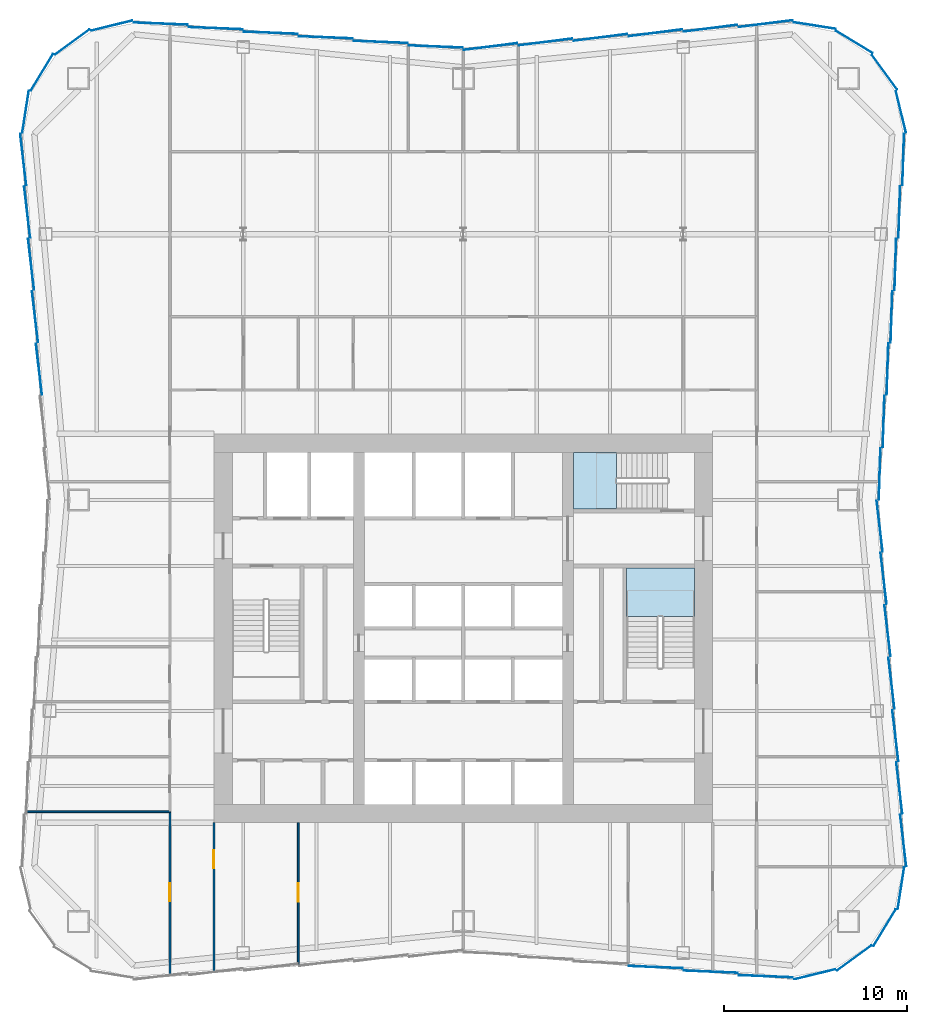
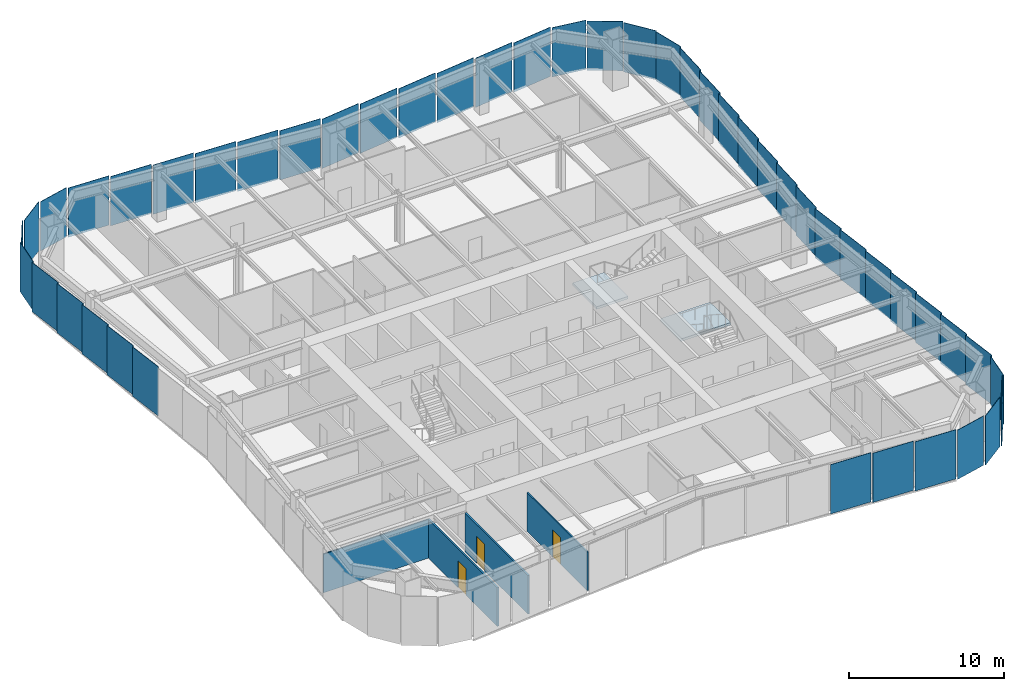
# One storey, part 3 of 8: 46 plates, 4 walls, 3 doors, 2 slabs, 3 openings, 9 elements without a shape of their own.
"""IFC4 building model written with IfcOpenShell, lengths in metres."""

from ifc_helpers import new_model, si_unit, direction, frame, frame_2d, origin, origin_2d, place, context, subcontext, project, spatial, polyline, rectangle, outline, extrude, material, layer, layer_set, type_object, element, fill, aggregate, save


model = new_model("IFC4")

# Units and contexts
model_context = context("Model", 3, precision=1e-05, world=origin(), true_north=direction((0.0, 1.0)))
body_context = subcontext(model_context, "Body", "Model", "MODEL_VIEW")
ifc_project = project(units=[si_unit("LENGTHUNIT", "METRE"), si_unit("AREAUNIT", "SQUARE_METRE"), si_unit("VOLUMEUNIT", "CUBIC_METRE"), si_unit("PLANEANGLEUNIT", "RADIAN"), si_unit("MASSUNIT", "GRAM", prefix="KILO")], contexts=[model_context])

# Site, building, storey
site_placement = place(None, origin())
site = spatial("IfcSite", under=ifc_project, at=site_placement, CompositionType="ELEMENT")
building_placement = place(site_placement, origin())
building = spatial("IfcBuilding", under=site, at=building_placement, Name="Verdant Reach Tower", CompositionType="ELEMENT")
storey_placement = place(building_placement, frame((0.0, 0.0, 134.0)))
storey = spatial("IfcBuildingStorey", under=building, at=storey_placement, Name="L30", CompositionType="ELEMENT", Elevation=134.0)

# Stair, slab
ifc_material_1 = material(Name="Concrete C40/50", Category="concrete")
stair_type = type_object("IfcStairType", Name="CO-STAIR", PredefinedType="HALF_TURN_STAIR", material=ifc_material_1)
stair_1_placement = place(storey_placement, origin())
stair_1 = element("IfcStair", 1, at=stair_1_placement, inside=storey, type_object=stair_type, Name="L30 Exit stair 2", PredefinedType="HALF_TURN_STAIR")
ifc_layer_1 = layer(ifc_material_1, 0.199951171875)
ifc_layer_set_1 = layer_set([ifc_layer_1], Name="CO-STAIR-LANDING")
slab_type = type_object("IfcSlabType", Name="CO-STAIR-LANDING", PredefinedType="LANDING", material=ifc_layer_set_1)
slab_1_placement = place(storey_placement, frame((0.0, 0.0, 1.800048828125)))
slab_1 = element("IfcSlab", 2, at=slab_1_placement, type_object=slab_type, Name="ST-2 landing 1", PredefinedType="LANDING", context=body_context, shape_type="SweptSolid", body=[
    extrude(outline(polyline([(12.60009765625, 28.64990234375), (12.60009765625, 31.300048828125), (8.89990234375, 31.300048828125), (8.89990234375, 28.64990234375), (12.60009765625, 28.64990234375)])), origin(), (0.0, 0.0, 1.0), 0.199951171875),
])
aggregate(stair_1, [slab_1])

stair_2_placement = place(storey_placement, origin())
stair_2 = element("IfcStair", 3, at=stair_2_placement, inside=storey, type_object=stair_type, Name="L30 Exit stair 3", PredefinedType="HALF_TURN_STAIR")
slab_2_placement = place(storey_placement, frame((0.0, 0.0, 1.800048828125)))
slab_2 = element("IfcSlab", 4, at=slab_2_placement, type_object=slab_type, Name="ST-3 landing 1", PredefinedType="LANDING", context=body_context, shape_type="SweptSolid", body=[
    extrude(outline(polyline([(8.35009765625, 37.60009765625), (6.0, 37.60009765625), (6.0, 34.5), (8.35009765625, 34.5), (8.35009765625, 37.60009765625)])), origin(), (0.0, 0.0, 1.0), 0.199951171875),
])
aggregate(stair_2, [slab_2])

# Curtain wall, plate
ifc_material_2 = material(Name="Anodised aluminium", Category="aluminium")
curtain_wall_type = type_object("IfcCurtainWallType", Name="EN-CW SYSTEM Z2", PredefinedType="NOTDEFINED", material=ifc_material_2)
curtain_wall_1_placement = place(storey_placement, origin())
curtain_wall_1 = element("IfcCurtainWall", 5, at=curtain_wall_1_placement, inside=storey, type_object=curtain_wall_type, Name="Curtain wall south-east corner, L30", PredefinedType="NOTDEFINED")
ifc_material_3 = material(Name="Tinted glass with champagne spandrel", Category="glass")
ifc_layer_2 = layer(ifc_material_3, 0.031982421875)
ifc_layer_set_2 = layer_set([ifc_layer_2], Name="EN-PANEL CHAMPAGNE")
plate_type_1 = type_object("IfcPlateType", Name="EN-PANEL CHAMPAGNE", PredefinedType="CURTAIN_PANEL", material=ifc_layer_set_2)
plate_1_placement = place(storey_placement, frame((23.87353515625, 13.828369140625, -0.22607421875), z_axis=(0.0, 0.0, 1.0), x_axis=(0.154281290631, 0.988026964896, 0.0)))
plate_1 = element("IfcPlate", 6, at=plate_1_placement, type_object=plate_type_1, Name="Glass panel south-east corner 4.1, L30", PredefinedType="CURTAIN_PANEL", context=body_context, shape_type="SweptSolid", body=[
    extrude(rectangle(XDim=2.316162109375, YDim=0.031982421875, at=origin_2d()), origin(), (0.0, 0.0, 1.0), 3.8759765625),
])

# Curtain wall, plates
curtain_wall_2_placement = place(storey_placement, origin())
curtain_wall_2 = element("IfcCurtainWall", 7, at=curtain_wall_2_placement, inside=storey, type_object=curtain_wall_type, Name="Curtain wall east, L30", PredefinedType="NOTDEFINED")
plate_2_placement = place(storey_placement, frame((23.7841796875, 19.293701171875, -0.22607421875), z_axis=(0.0, 0.0, 1.0), x_axis=(-0.116482717753, 0.993192718693, 0.0)))
plate_2 = element("IfcPlate", 8, at=plate_2_placement, type_object=plate_type_1, Name="Glass panel east face part 1 2.1, L30", PredefinedType="CURTAIN_PANEL", context=body_context, shape_type="SweptSolid", body=[
    extrude(rectangle(XDim=2.80517578125, YDim=0.031982421875, at=origin_2d()), origin(), (0.0, 0.0, 1.0), 3.8759765625),
])
plate_3_placement = place(storey_placement, frame((23.570068359375, 22.15087890625, -0.22607421875), z_axis=(0.0, 0.0, 1.0), x_axis=(-0.116482717753, 0.993192718693, 0.0)))
plate_3 = element("IfcPlate", 9, at=plate_3_placement, type_object=plate_type_1, Name="Glass panel east face part 1 3.1, L30", PredefinedType="CURTAIN_PANEL", context=body_context, shape_type="SweptSolid", body=[
    extrude(rectangle(XDim=2.80517578125, YDim=0.031982421875, at=origin_2d()), origin(), (0.0, 0.0, 1.0), 3.8759765625),
])
plate_4_placement = place(storey_placement, frame((23.355712890625, 25.0078125, -0.22607421875), z_axis=(0.0, 0.0, 1.0), x_axis=(-0.116482717753, 0.993192718693, 0.0)))
plate_4 = element("IfcPlate", 10, at=plate_4_placement, type_object=plate_type_1, Name="Glass panel east face part 1 4.1, L30", PredefinedType="CURTAIN_PANEL", context=body_context, shape_type="SweptSolid", body=[
    extrude(rectangle(XDim=2.80517578125, YDim=0.031982421875, at=origin_2d()), origin(), (0.0, 0.0, 1.0), 3.8759765625),
])
plate_5_placement = place(storey_placement, frame((23.355712890625, 44.9921875, -0.22607421875), z_axis=(0.0, 0.0, 1.0), x_axis=(0.032965971753, 0.999456474643, 0.0)))
plate_5 = element("IfcPlate", 11, at=plate_5_placement, type_object=plate_type_1, Name="Glass panel east face part 2 4.1, L30", PredefinedType="CURTAIN_PANEL", context=body_context, shape_type="SweptSolid", body=[
    extrude(rectangle(XDim=2.80517578125, YDim=0.031982421875, at=origin_2d()), origin(), (0.0, 0.0, 1.0), 3.8759765625),
])
plate_6_placement = place(storey_placement, frame((23.570068359375, 47.84912109375, -0.22607421875), z_axis=(0.0, 0.0, 1.0), x_axis=(0.032965971753, 0.999456474643, 0.0)))
plate_6 = element("IfcPlate", 12, at=plate_6_placement, type_object=plate_type_1, Name="Glass panel east face part 2 5.1, L30", PredefinedType="CURTAIN_PANEL", context=body_context, shape_type="SweptSolid", body=[
    extrude(rectangle(XDim=2.80517578125, YDim=0.031982421875, at=origin_2d()), origin(), (0.0, 0.0, 1.0), 3.8759765625),
])

curtain_wall_3_placement = place(storey_placement, origin())
curtain_wall_3 = element("IfcCurtainWall", 13, at=curtain_wall_3_placement, inside=storey, type_object=curtain_wall_type, Name="Curtain wall north-east corner, L30", PredefinedType="NOTDEFINED")
plate_7_placement = place(storey_placement, frame((22.9794921875, 58.3271484375, -0.22607421875), z_axis=(0.0, 0.0, 1.0), x_axis=(-0.589926757843, 0.807456760688, 0.0)))
plate_7 = element("IfcPlate", 14, at=plate_7_placement, type_object=plate_type_1, Name="Glass panel north-east corner 2.1, L30", PredefinedType="CURTAIN_PANEL", context=body_context, shape_type="SweptSolid", body=[
    extrude(rectangle(XDim=2.322509765625, YDim=0.031982421875, at=origin_2d()), origin(), (0.0, 0.0, 1.0), 3.8759765625),
])
plate_8_placement = place(storey_placement, frame((21.3271484375, 59.9794921875, -0.22607421875), z_axis=(0.0, 0.0, 1.0), x_axis=(-0.853988694998, 0.520291561353, 0.0)))
plate_8 = element("IfcPlate", 15, at=plate_8_placement, type_object=plate_type_1, Name="Glass panel north-east corner 3.1, L30", PredefinedType="CURTAIN_PANEL", context=body_context, shape_type="SweptSolid", body=[
    extrude(rectangle(XDim=2.322509765625, YDim=0.031982421875, at=origin_2d()), origin(), (0.0, 0.0, 1.0), 3.8759765625),
])
plate_9_placement = place(storey_placement, frame((19.17138671875, 60.87353515625, -0.22607421875), z_axis=(0.0, 0.0, 1.0), x_axis=(-0.988030887576, 0.154256167447, 0.0)))
plate_9 = element("IfcPlate", 16, at=plate_9_placement, type_object=plate_type_1, Name="Glass panel north-east corner 4.1, L30", PredefinedType="CURTAIN_PANEL", context=body_context, shape_type="SweptSolid", body=[
    extrude(rectangle(XDim=2.31640625, YDim=0.031982421875, at=origin_2d()), origin(), (0.0, 0.0, 1.0), 3.8759765625),
])

curtain_wall_4_placement = place(storey_placement, origin())
curtain_wall_4 = element("IfcCurtainWall", 17, at=curtain_wall_4_placement, inside=storey, type_object=curtain_wall_type, Name="Curtain wall north, L30", PredefinedType="NOTDEFINED")
plate_10_placement = place(storey_placement, frame((16.49853515625, 60.980712890625, -0.22607421875), z_axis=(0.0, 0.0, 1.0), x_axis=(-0.992236570309, -0.124364739946, 0.0)))
plate_10 = element("IfcPlate", 18, at=plate_10_placement, type_object=plate_type_1, Name="Glass panel north face part 1 1.1, L30", PredefinedType="CURTAIN_PANEL", context=body_context, shape_type="SweptSolid", body=[
    extrude(rectangle(XDim=2.965087890625, YDim=0.031982421875, at=origin_2d()), origin(), (0.0, 0.0, 1.0), 3.8759765625),
])
plate_11_placement = place(storey_placement, frame((13.4912109375, 60.730712890625, -0.22607421875), z_axis=(0.0, 0.0, 1.0), x_axis=(-0.992194034542, -0.124703639961, 0.0)))
plate_11 = element("IfcPlate", 19, at=plate_11_placement, type_object=plate_type_1, Name="Glass panel north face part 1 2.1, L30", PredefinedType="CURTAIN_PANEL", context=body_context, shape_type="SweptSolid", body=[
    extrude(rectangle(XDim=2.950439453125, YDim=0.031982421875, at=origin_2d()), origin(), (0.0, 0.0, 1.0), 3.8759765625),
])
plate_12_placement = place(storey_placement, frame((-4.4912109375, 59.980712890625, -0.22607421875), z_axis=(0.0, 0.0, 1.0), x_axis=(-0.999149202059, 0.041241629766, 0.0)))
plate_12 = element("IfcPlate", 20, at=plate_12_placement, type_object=plate_type_1, Name="Glass panel north face part 2 2.1, L30", PredefinedType="CURTAIN_PANEL", context=body_context, shape_type="SweptSolid", body=[
    extrude(rectangle(XDim=2.950439453125, YDim=0.031982421875, at=origin_2d()), origin(), (0.0, 0.0, 1.0), 3.8759765625),
])
plate_13_placement = place(storey_placement, frame((-7.4912109375, 60.230712890625, -0.22607421875), z_axis=(0.0, 0.0, 1.0), x_axis=(-0.999149202059, 0.041241629766, 0.0)))
plate_13 = element("IfcPlate", 21, at=plate_13_placement, type_object=plate_type_1, Name="Glass panel north face part 2 3.1, L30", PredefinedType="CURTAIN_PANEL", context=body_context, shape_type="SweptSolid", body=[
    extrude(rectangle(XDim=2.950439453125, YDim=0.031982421875, at=origin_2d()), origin(), (0.0, 0.0, 1.0), 3.8759765625),
])

curtain_wall_5_placement = place(storey_placement, origin())
curtain_wall_5 = element("IfcCurtainWall", 22, at=curtain_wall_5_placement, inside=storey, type_object=curtain_wall_type, Name="Curtain wall north-west corner, L30", PredefinedType="NOTDEFINED")
plate_14_placement = place(storey_placement, frame((-19.17138671875, 60.87353515625, -0.22607421875), z_axis=(0.0, 0.0, 1.0), x_axis=(-0.971657900775, -0.236391463174, 0.0)))
plate_14 = element("IfcPlate", 23, at=plate_14_placement, type_object=plate_type_1, Name="Glass panel north-west corner 1.1, L30", PredefinedType="CURTAIN_PANEL", context=body_context, shape_type="SweptSolid", body=[
    extrude(rectangle(XDim=2.31640625, YDim=0.031982421875, at=origin_2d()), origin(), (0.0, 0.0, 1.0), 3.8759765625),
])
plate_15_placement = place(storey_placement, frame((-21.3271484375, 59.9794921875, -0.22607421875), z_axis=(0.0, 0.0, 1.0), x_axis=(-0.807456760688, -0.589926757843, 0.0)))
plate_15 = element("IfcPlate", 24, at=plate_15_placement, type_object=plate_type_1, Name="Glass panel north-west corner 2.1, L30", PredefinedType="CURTAIN_PANEL", context=body_context, shape_type="SweptSolid", body=[
    extrude(rectangle(XDim=2.322509765625, YDim=0.031982421875, at=origin_2d()), origin(), (0.0, 0.0, 1.0), 3.8759765625),
])

curtain_wall_6_placement = place(storey_placement, origin())
curtain_wall_6 = element("IfcCurtainWall", 25, at=curtain_wall_6_placement, inside=storey, type_object=curtain_wall_type, Name="Curtain wall south, L30", PredefinedType="NOTDEFINED")
plate_16_placement = place(storey_placement, frame((13.4912109375, 9.269287109375, -0.22607421875), z_axis=(0.0, 0.0, 1.0), x_axis=(0.999149202059, -0.041241629766, 0.0)))
plate_16 = element("IfcPlate", 26, at=plate_16_placement, type_object=plate_type_1, Name="Glass panel south face part 2 5.1, L30", PredefinedType="CURTAIN_PANEL", context=body_context, shape_type="SweptSolid", body=[
    extrude(rectangle(XDim=2.950439453125, YDim=0.031982421875, at=origin_2d()), origin(), (0.0, 0.0, 1.0), 3.8759765625),
])
plate_17_placement = place(storey_placement, frame((16.49853515625, 9.019287109375, -0.22607421875), z_axis=(0.0, 0.0, 1.0), x_axis=(0.999163230224, -0.040900359019, 0.0)))
plate_17 = element("IfcPlate", 27, at=plate_17_placement, type_object=plate_type_1, Name="Glass panel south face part 2 6.1, L30", PredefinedType="CURTAIN_PANEL", context=body_context, shape_type="SweptSolid", body=[
    extrude(rectangle(XDim=2.965087890625, YDim=0.031982421875, at=origin_2d()), origin(), (0.0, 0.0, 1.0), 3.8759765625),
])

# Plate
ifc_material_4 = material(Name="Tinted glass with copper spandrel", Category="glass")
ifc_layer_3 = layer(ifc_material_4, 0.031982421875)
ifc_layer_set_3 = layer_set([ifc_layer_3], Name="EN-PANEL COPPER")
plate_type_2 = type_object("IfcPlateType", Name="EN-PANEL COPPER", PredefinedType="CURTAIN_PANEL", material=ifc_layer_set_3)
plate_18_placement = place(storey_placement, frame((23.141357421875, 27.864990234375, -0.22607421875), z_axis=(0.0, 0.0, 1.0), x_axis=(-0.116482717753, 0.993192718693, 0.0)))
plate_18 = element("IfcPlate", 28, at=plate_18_placement, type_object=plate_type_2, Name="Glass panel east face part 1 5.1, L30", PredefinedType="CURTAIN_PANEL", context=body_context, shape_type="SweptSolid", body=[
    extrude(rectangle(XDim=2.80517578125, YDim=0.031982421875, at=origin_2d()), origin(), (0.0, 0.0, 1.0), 3.8759765625),
])

plate_19_placement = place(storey_placement, frame((22.92724609375, 30.72216796875, -0.22607421875), z_axis=(0.0, 0.0, 1.0), x_axis=(-0.116482717753, 0.993192718693, 0.0)))
plate_19 = element("IfcPlate", 29, at=plate_19_placement, type_object=plate_type_2, Name="Glass panel east face part 1 6.1, L30", PredefinedType="CURTAIN_PANEL", context=body_context, shape_type="SweptSolid", body=[
    extrude(rectangle(XDim=2.80517578125, YDim=0.031982421875, at=origin_2d()), origin(), (0.0, 0.0, 1.0), 3.8759765625),
])

plate_20_placement = place(storey_placement, frame((23.7841796875, 50.706298828125, -0.22607421875), z_axis=(0.0, 0.0, 1.0), x_axis=(0.032965971753, 0.999456474643, 0.0)))
plate_20 = element("IfcPlate", 30, at=plate_20_placement, type_object=plate_type_2, Name="Glass panel east face part 2 6.1, L30", PredefinedType="CURTAIN_PANEL", context=body_context, shape_type="SweptSolid", body=[
    extrude(rectangle(XDim=2.80517578125, YDim=0.031982421875, at=origin_2d()), origin(), (0.0, 0.0, 1.0), 3.8759765625),
])

plate_21_placement = place(storey_placement, frame((23.99853515625, 53.57080078125, -0.22607421875), z_axis=(0.0, 0.0, 1.0), x_axis=(0.032628234484, 0.99946755741, 0.0)))
plate_21 = element("IfcPlate", 31, at=plate_21_placement, type_object=plate_type_2, Name="Glass panel east face part 2 7.1, L30", PredefinedType="CURTAIN_PANEL", context=body_context, shape_type="SweptSolid", body=[
    extrude(rectangle(XDim=2.819580078125, YDim=0.031982421875, at=origin_2d()), origin(), (0.0, 0.0, 1.0), 3.8759765625),
])

plate_22_placement = place(storey_placement, frame((10.4912109375, 60.480712890625, -0.22607421875), z_axis=(0.0, 0.0, 1.0), x_axis=(-0.992194034542, -0.124703639961, 0.0)))
plate_22 = element("IfcPlate", 32, at=plate_22_placement, type_object=plate_type_2, Name="Glass panel north face part 1 3.1, L30", PredefinedType="CURTAIN_PANEL", context=body_context, shape_type="SweptSolid", body=[
    extrude(rectangle(XDim=2.950439453125, YDim=0.031982421875, at=origin_2d()), origin(), (0.0, 0.0, 1.0), 3.8759765625),
])

plate_23_placement = place(storey_placement, frame((7.4912109375, 60.230712890625, -0.22607421875), z_axis=(0.0, 0.0, 1.0), x_axis=(-0.992194034542, -0.124703639961, 0.0)))
plate_23 = element("IfcPlate", 33, at=plate_23_placement, type_object=plate_type_2, Name="Glass panel north face part 1 4.1, L30", PredefinedType="CURTAIN_PANEL", context=body_context, shape_type="SweptSolid", body=[
    extrude(rectangle(XDim=2.950439453125, YDim=0.031982421875, at=origin_2d()), origin(), (0.0, 0.0, 1.0), 3.8759765625),
])

plate_24_placement = place(storey_placement, frame((-10.4912109375, 60.480712890625, -0.22607421875), z_axis=(0.0, 0.0, 1.0), x_axis=(-0.999149202059, 0.041241629766, 0.0)))
plate_24 = element("IfcPlate", 34, at=plate_24_placement, type_object=plate_type_2, Name="Glass panel north face part 2 4.1, L30", PredefinedType="CURTAIN_PANEL", context=body_context, shape_type="SweptSolid", body=[
    extrude(rectangle(XDim=2.950439453125, YDim=0.031982421875, at=origin_2d()), origin(), (0.0, 0.0, 1.0), 3.8759765625),
])

plate_25_placement = place(storey_placement, frame((-13.4912109375, 60.730712890625, -0.22607421875), z_axis=(0.0, 0.0, 1.0), x_axis=(-0.999149202059, 0.041241629766, 0.0)))
plate_25 = element("IfcPlate", 35, at=plate_25_placement, type_object=plate_type_2, Name="Glass panel north face part 2 5.1, L30", PredefinedType="CURTAIN_PANEL", context=body_context, shape_type="SweptSolid", body=[
    extrude(rectangle(XDim=2.950439453125, YDim=0.031982421875, at=origin_2d()), origin(), (0.0, 0.0, 1.0), 3.8759765625),
])

plate_26_placement = place(storey_placement, frame((-16.49853515625, 60.980712890625, -0.22607421875), z_axis=(0.0, 0.0, 1.0), x_axis=(-0.999163230224, 0.040900359019, 0.0)))
plate_26 = element("IfcPlate", 36, at=plate_26_placement, type_object=plate_type_2, Name="Glass panel north face part 2 6.1, L30", PredefinedType="CURTAIN_PANEL", context=body_context, shape_type="SweptSolid", body=[
    extrude(rectangle(XDim=2.965087890625, YDim=0.031982421875, at=origin_2d()), origin(), (0.0, 0.0, 1.0), 3.8759765625),
])

plate_27_placement = place(storey_placement, frame((-22.9794921875, 58.3271484375, -0.22607421875), z_axis=(0.0, 0.0, 1.0), x_axis=(-0.520291561353, -0.853988694998, 0.0)))
plate_27 = element("IfcPlate", 37, at=plate_27_placement, type_object=plate_type_2, Name="Glass panel north-west corner 3.1, L30", PredefinedType="CURTAIN_PANEL", context=body_context, shape_type="SweptSolid", body=[
    extrude(rectangle(XDim=2.322509765625, YDim=0.031982421875, at=origin_2d()), origin(), (0.0, 0.0, 1.0), 3.8759765625),
])

plate_28_placement = place(storey_placement, frame((-23.87353515625, 56.171630859375, -0.22607421875), z_axis=(0.0, 0.0, 1.0), x_axis=(-0.154281290631, -0.988026964896, 0.0)))
plate_28 = element("IfcPlate", 38, at=plate_28_placement, type_object=plate_type_2, Name="Glass panel north-west corner 4.1, L30", PredefinedType="CURTAIN_PANEL", context=body_context, shape_type="SweptSolid", body=[
    extrude(rectangle(XDim=2.316162109375, YDim=0.031982421875, at=origin_2d()), origin(), (0.0, 0.0, 1.0), 3.8759765625),
])

aggregate(curtain_wall_5, [plate_14, plate_15, plate_27, plate_28])

# Curtain wall, plates
curtain_wall_7_placement = place(storey_placement, origin())
curtain_wall_7 = element("IfcCurtainWall", 39, at=curtain_wall_7_placement, inside=storey, type_object=curtain_wall_type, Name="Curtain wall west, L30", PredefinedType="NOTDEFINED")
plate_29_placement = place(storey_placement, frame((-23.99853515625, 53.57080078125, -0.22607421875), z_axis=(0.0, 0.0, 1.0), x_axis=(0.116147092358, -0.993232023717, 0.0)))
plate_29 = element("IfcPlate", 40, at=plate_29_placement, type_object=plate_type_2, Name="Glass panel west face part 1 1.1, L30", PredefinedType="CURTAIN_PANEL", context=body_context, shape_type="SweptSolid", body=[
    extrude(rectangle(XDim=2.819580078125, YDim=0.031982421875, at=origin_2d()), origin(), (0.0, 0.0, 1.0), 3.8759765625),
])
plate_30_placement = place(storey_placement, frame((-23.7841796875, 50.706298828125, -0.22607421875), z_axis=(0.0, 0.0, 1.0), x_axis=(0.116482717753, -0.993192718693, 0.0)))
plate_30 = element("IfcPlate", 41, at=plate_30_placement, type_object=plate_type_2, Name="Glass panel west face part 1 2.1, L30", PredefinedType="CURTAIN_PANEL", context=body_context, shape_type="SweptSolid", body=[
    extrude(rectangle(XDim=2.80517578125, YDim=0.031982421875, at=origin_2d()), origin(), (0.0, 0.0, 1.0), 3.8759765625),
])
plate_31_placement = place(storey_placement, frame((-23.570068359375, 47.84912109375, -0.22607421875), z_axis=(0.0, 0.0, 1.0), x_axis=(0.116482717753, -0.993192718693, 0.0)))
plate_31 = element("IfcPlate", 42, at=plate_31_placement, type_object=plate_type_2, Name="Glass panel west face part 1 3.1, L30", PredefinedType="CURTAIN_PANEL", context=body_context, shape_type="SweptSolid", body=[
    extrude(rectangle(XDim=2.80517578125, YDim=0.031982421875, at=origin_2d()), origin(), (0.0, 0.0, 1.0), 3.8759765625),
])

# Plate
ifc_material_5 = material(Name="Tinted glass with dark bronze spandrel", Category="glass")
ifc_layer_4 = layer(ifc_material_5, 0.031982421875)
ifc_layer_set_4 = layer_set([ifc_layer_4], Name="EN-PANEL DARK")
plate_type_3 = type_object("IfcPlateType", Name="EN-PANEL DARK", PredefinedType="CURTAIN_PANEL", material=ifc_layer_set_4)
plate_32_placement = place(storey_placement, frame((19.17138671875, 9.12646484375, -0.22607421875), z_axis=(0.0, 0.0, 1.0), x_axis=(0.971657900775, 0.236391463174, 0.0)))
plate_32 = element("IfcPlate", 43, at=plate_32_placement, type_object=plate_type_3, Name="Glass panel south-east corner 1.1, L30", PredefinedType="CURTAIN_PANEL", context=body_context, shape_type="SweptSolid", body=[
    extrude(rectangle(XDim=2.31640625, YDim=0.031982421875, at=origin_2d()), origin(), (0.0, 0.0, 1.0), 3.8759765625),
])

plate_33_placement = place(storey_placement, frame((21.3271484375, 10.0205078125, -0.22607421875), z_axis=(0.0, 0.0, 1.0), x_axis=(0.807456760688, 0.589926757843, 0.0)))
plate_33 = element("IfcPlate", 44, at=plate_33_placement, type_object=plate_type_3, Name="Glass panel south-east corner 2.1, L30", PredefinedType="CURTAIN_PANEL", context=body_context, shape_type="SweptSolid", body=[
    extrude(rectangle(XDim=2.322509765625, YDim=0.031982421875, at=origin_2d()), origin(), (0.0, 0.0, 1.0), 3.8759765625),
])

plate_34_placement = place(storey_placement, frame((22.9794921875, 11.6728515625, -0.22607421875), z_axis=(0.0, 0.0, 1.0), x_axis=(0.520291561353, 0.853988694998, 0.0)))
plate_34 = element("IfcPlate", 45, at=plate_34_placement, type_object=plate_type_3, Name="Glass panel south-east corner 3.1, L30", PredefinedType="CURTAIN_PANEL", context=body_context, shape_type="SweptSolid", body=[
    extrude(rectangle(XDim=2.322509765625, YDim=0.031982421875, at=origin_2d()), origin(), (0.0, 0.0, 1.0), 3.8759765625),
])

aggregate(curtain_wall_1, [plate_32, plate_33, plate_34, plate_1])

plate_35_placement = place(storey_placement, frame((23.99853515625, 16.42919921875, -0.22607421875), z_axis=(0.0, 0.0, 1.0), x_axis=(-0.116147092358, 0.993232023717, 0.0)))
plate_35 = element("IfcPlate", 46, at=plate_35_placement, type_object=plate_type_3, Name="Glass panel east face part 1 1.1, L30", PredefinedType="CURTAIN_PANEL", context=body_context, shape_type="SweptSolid", body=[
    extrude(rectangle(XDim=2.819580078125, YDim=0.031982421875, at=origin_2d()), origin(), (0.0, 0.0, 1.0), 3.8759765625),
])

plate_36_placement = place(storey_placement, frame((22.712890625, 33.575439453125, -0.22607421875), z_axis=(0.0, 0.0, 1.0), x_axis=(-0.116585911919, 0.993180610535, 0.0)))
plate_36 = element("IfcPlate", 47, at=plate_36_placement, type_object=plate_type_3, Name="Glass panel east face part 1 7.1, L30", PredefinedType="CURTAIN_PANEL", context=body_context, shape_type="SweptSolid", body=[
    extrude(rectangle(XDim=2.797119140625, YDim=0.031982421875, at=origin_2d()), origin(), (0.0, 0.0, 1.0), 3.8759765625),
])

plate_37_placement = place(storey_placement, frame((22.712890625, 36.424560546875, -0.22607421875), z_axis=(0.0, 0.0, 1.0), x_axis=(0.033069817188, 0.999453044015, 0.0)))
plate_37 = element("IfcPlate", 48, at=plate_37_placement, type_object=plate_type_3, Name="Glass panel east face part 2 1.1, L30", PredefinedType="CURTAIN_PANEL", context=body_context, shape_type="SweptSolid", body=[
    extrude(rectangle(XDim=2.797119140625, YDim=0.031982421875, at=origin_2d()), origin(), (0.0, 0.0, 1.0), 3.8759765625),
])

plate_38_placement = place(storey_placement, frame((22.92724609375, 39.27783203125, -0.22607421875), z_axis=(0.0, 0.0, 1.0), x_axis=(0.032965971753, 0.999456474643, 0.0)))
plate_38 = element("IfcPlate", 49, at=plate_38_placement, type_object=plate_type_3, Name="Glass panel east face part 2 2.1, L30", PredefinedType="CURTAIN_PANEL", context=body_context, shape_type="SweptSolid", body=[
    extrude(rectangle(XDim=2.80517578125, YDim=0.031982421875, at=origin_2d()), origin(), (0.0, 0.0, 1.0), 3.8759765625),
])

plate_39_placement = place(storey_placement, frame((23.141357421875, 42.135009765625, -0.22607421875), z_axis=(0.0, 0.0, 1.0), x_axis=(0.032965971753, 0.999456474643, 0.0)))
plate_39 = element("IfcPlate", 50, at=plate_39_placement, type_object=plate_type_3, Name="Glass panel east face part 2 3.1, L30", PredefinedType="CURTAIN_PANEL", context=body_context, shape_type="SweptSolid", body=[
    extrude(rectangle(XDim=2.80517578125, YDim=0.031982421875, at=origin_2d()), origin(), (0.0, 0.0, 1.0), 3.8759765625),
])

aggregate(curtain_wall_2, [plate_35, plate_2, plate_3, plate_4, plate_18, plate_19, plate_36, plate_37, plate_38, plate_39, plate_5, plate_6, plate_20, plate_21])

plate_40_placement = place(storey_placement, frame((23.87353515625, 56.171630859375, -0.22607421875), z_axis=(0.0, 0.0, 1.0), x_axis=(-0.236416170006, 0.971651889598, 0.0)))
plate_40 = element("IfcPlate", 51, at=plate_40_placement, type_object=plate_type_3, Name="Glass panel north-east corner 1.1, L30", PredefinedType="CURTAIN_PANEL", context=body_context, shape_type="SweptSolid", body=[
    extrude(rectangle(XDim=2.316162109375, YDim=0.031982421875, at=origin_2d()), origin(), (0.0, 0.0, 1.0), 3.8759765625),
])

aggregate(curtain_wall_3, [plate_40, plate_7, plate_8, plate_9])

plate_41_placement = place(storey_placement, frame((4.4912109375, 59.980712890625, -0.22607421875), z_axis=(0.0, 0.0, 1.0), x_axis=(-0.992194034542, -0.124703639961, 0.0)))
plate_41 = element("IfcPlate", 52, at=plate_41_placement, type_object=plate_type_3, Name="Glass panel north face part 1 5.1, L30", PredefinedType="CURTAIN_PANEL", context=body_context, shape_type="SweptSolid", body=[
    extrude(rectangle(XDim=2.950439453125, YDim=0.031982421875, at=origin_2d()), origin(), (0.0, 0.0, 1.0), 3.8759765625),
])

plate_42_placement = place(storey_placement, frame((1.49560546875, 59.730712890625, -0.22607421875), z_axis=(0.0, 0.0, 1.0), x_axis=(-0.992178815188, -0.12482467181, 0.0)))
plate_42 = element("IfcPlate", 53, at=plate_42_placement, type_object=plate_type_3, Name="Glass panel north face part 1 6.1, L30", PredefinedType="CURTAIN_PANEL", context=body_context, shape_type="SweptSolid", body=[
    extrude(rectangle(XDim=2.941650390625, YDim=0.031982421875, at=origin_2d()), origin(), (0.0, 0.0, 1.0), 3.8759765625),
])

plate_43_placement = place(storey_placement, frame((-1.49560546875, 59.730712890625, -0.22607421875), z_axis=(0.0, 0.0, 1.0), x_axis=(-0.999144163765, 0.041363510662, 0.0)))
plate_43 = element("IfcPlate", 54, at=plate_43_placement, type_object=plate_type_3, Name="Glass panel north face part 2 1.1, L30", PredefinedType="CURTAIN_PANEL", context=body_context, shape_type="SweptSolid", body=[
    extrude(rectangle(XDim=2.941650390625, YDim=0.031982421875, at=origin_2d()), origin(), (0.0, 0.0, 1.0), 3.8759765625),
])

aggregate(curtain_wall_4, [plate_10, plate_11, plate_22, plate_23, plate_41, plate_42, plate_43, plate_12, plate_13, plate_24, plate_25, plate_26])

plate_44_placement = place(storey_placement, frame((-23.355712890625, 44.9921875, -0.22607421875), z_axis=(0.0, 0.0, 1.0), x_axis=(0.116482717753, -0.993192718693, 0.0)))
plate_44 = element("IfcPlate", 55, at=plate_44_placement, type_object=plate_type_3, Name="Glass panel west face part 1 4.1, L30", PredefinedType="CURTAIN_PANEL", context=body_context, shape_type="SweptSolid", body=[
    extrude(rectangle(XDim=2.80517578125, YDim=0.031982421875, at=origin_2d()), origin(), (0.0, 0.0, 1.0), 3.8759765625),
])

plate_45_placement = place(storey_placement, frame((-23.141357421875, 42.135009765625, -0.22607421875), z_axis=(0.0, 0.0, 1.0), x_axis=(0.116482717753, -0.993192718693, 0.0)))
plate_45 = element("IfcPlate", 56, at=plate_45_placement, type_object=plate_type_3, Name="Glass panel west face part 1 5.1, L30", PredefinedType="CURTAIN_PANEL", context=body_context, shape_type="SweptSolid", body=[
    extrude(rectangle(XDim=2.80517578125, YDim=0.031982421875, at=origin_2d()), origin(), (0.0, 0.0, 1.0), 3.8759765625),
])

aggregate(curtain_wall_7, [plate_29, plate_30, plate_31, plate_44, plate_45])

plate_46_placement = place(storey_placement, frame((10.4912109375, 9.519287109375, -0.22607421875), z_axis=(0.0, 0.0, 1.0), x_axis=(0.999149202059, -0.041241629766, 0.0)))
plate_46 = element("IfcPlate", 57, at=plate_46_placement, type_object=plate_type_3, Name="Glass panel south face part 2 4.1, L30", PredefinedType="CURTAIN_PANEL", context=body_context, shape_type="SweptSolid", body=[
    extrude(rectangle(XDim=2.950439453125, YDim=0.031982421875, at=origin_2d()), origin(), (0.0, 0.0, 1.0), 3.8759765625),
])

aggregate(curtain_wall_6, [plate_46, plate_16, plate_17])

# Wall
ifc_material_6 = material(Name="Gypsum board on steel studs", Category="steel")
ifc_layer_5 = layer(ifc_material_6, 0.10009765625)
ifc_layer_set_5 = layer_set([ifc_layer_5], Name="FL-W1 Partition 100")
wall_type_1 = type_object("IfcWallType", Name="FL-W1 Partition 100", PredefinedType="PARTITIONING", material=ifc_layer_set_5)
wall_1_placement = place(storey_placement, frame((-16.0, 18.0, 0.0), z_axis=(0.0, 0.0, 1.0), x_axis=(-1.0, 0.0, 0.0)))
element("IfcWall", 58, at=wall_1_placement, inside=storey, type_object=wall_type_1, Name="Partition 30.19", PredefinedType="PARTITIONING", context=body_context, shape_type="SweptSolid", body=[
    extrude(rectangle(XDim=7.85498046875, YDim=0.10009765625, at=frame_2d((3.927490234375, 0.0))), origin(), (0.0, 0.0, 1.0), 3.0400390625),
])

# Wall, opening, door
wall_2_placement = place(storey_placement, frame((-9.0, 17.39990234375, 0.0), z_axis=(0.0, 0.0, 1.0), x_axis=(0.0, -1.0, 0.0)))
wall_2 = element("IfcWall", 59, at=wall_2_placement, inside=storey, type_object=wall_type_1, Name="Partition 30.34", PredefinedType="PARTITIONING", context=body_context, shape_type="SweptSolid", body=[
    extrude(rectangle(XDim=7.72998046875, YDim=0.10009765625, at=frame_2d((3.864990234375, 0.0))), origin(), (0.0, 0.0, 1.0), 3.0400390625),
])
opening_1_placement = place(wall_2_placement, frame((3.2998046875, 0.0, 0.0)))
opening_1 = element("IfcOpeningElement", 60, at=opening_1_placement, cuts=wall_2, Name="Opening D3", PredefinedType="OPENING", context=body_context, shape_type="SweptSolid", body=[
    extrude(rectangle(XDim=1.0, YDim=2.10009765625, at=frame_2d((0.5, 1.050048828125))), frame((0.0, 0.06005859375, 0.0), z_axis=(0.0, -1.0, 0.0), x_axis=(1.0, 0.0, 0.0)), (0.0, 0.0, 1.0), 0.1201171875),
])
ifc_material_7 = material(Name="Painted timber door leaf", Category="wood")
door_type_1 = type_object("IfcDoorType", Name="FL-D3 Door 1000x2100", OperationType="NOTDEFINED", PredefinedType="DOOR", material=ifc_material_7)
door_1_placement = place(opening_1_placement, origin())
door_1 = element("IfcDoor", 61, at=door_1_placement, inside=storey, type_object=door_type_1, Name="Door 30-017", OperationType="SINGLE_SWING_LEFT", OverallHeight=2.10009765625, OverallWidth=1.0, PredefinedType="DOOR", context=body_context, shape_type="SweptSolid", body=[
    extrude(rectangle(XDim=1.0, YDim=2.10009765625, at=frame_2d((0.5, 1.050048828125))), frame((0.0, 0.02490234375, 0.0), z_axis=(0.0, -1.0, 0.0), x_axis=(1.0, 0.0, 0.0)), (0.0, 0.0, 1.0), 0.050048828125),
])
fill(opening_1, door_1)

ifc_material_8 = material(Name="Gypsum board on steel studs, fire rated", Category="steel")
ifc_layer_6 = layer(ifc_material_8, 0.125)
ifc_layer_set_6 = layer_set([ifc_layer_6], Name="FL-W2 Corridor wall 125")
wall_type_2 = type_object("IfcWallType", Name="FL-W2 Corridor wall 125", PredefinedType="PARTITIONING", material=ifc_layer_set_6)
wall_3_placement = place(storey_placement, frame((-16.0, 9.086669921875, 0.0), z_axis=(0.0, 0.0, 1.0), x_axis=(0.0, 1.0, 0.0)))
wall_3 = element("IfcWall", 62, at=wall_3_placement, inside=storey, type_object=wall_type_2, Name="Partition 30.01", PredefinedType="PARTITIONING", context=body_context, shape_type="SweptSolid", body=[
    extrude(rectangle(XDim=8.913330078125, YDim=0.125, at=frame_2d((4.45654296875, 0.0))), origin(), (0.0, 0.0, 1.0), 3.0400390625),
])
opening_2_placement = place(wall_3_placement, frame((4.021728515625, 0.0, 0.0)))
opening_2 = element("IfcOpeningElement", 63, at=opening_2_placement, cuts=wall_3, Name="Opening D2", PredefinedType="OPENING", context=body_context, shape_type="SweptSolid", body=[
    extrude(rectangle(XDim=1.0, YDim=2.10009765625, at=frame_2d((0.5, 1.050048828125))), frame((0.0, 0.072509765625, 0.0), z_axis=(0.0, -1.0, 0.0), x_axis=(1.0, 0.0, 0.0)), (0.0, 0.0, 1.0), 0.14501953125),
])
ifc_material_9 = material(Name="Timber door leaf, fire rated", Category="wood")
door_type_2 = type_object("IfcDoorType", Name="FL-D2 Entrance door 1000x2100 FD30", OperationType="NOTDEFINED", PredefinedType="DOOR", material=ifc_material_9)
door_2_placement = place(opening_2_placement, origin())
door_2 = element("IfcDoor", 64, at=door_2_placement, inside=storey, type_object=door_type_2, Name="Door 30-001", OperationType="SINGLE_SWING_RIGHT", OverallHeight=2.10009765625, OverallWidth=1.0, PredefinedType="DOOR", context=body_context, shape_type="SweptSolid", body=[
    extrude(rectangle(XDim=1.0, YDim=2.10009765625, at=frame_2d((0.5, 1.050048828125))), frame((0.0, 0.02490234375, 0.0), z_axis=(0.0, -1.0, 0.0), x_axis=(1.0, 0.0, 0.0)), (0.0, 0.0, 1.0), 0.050048828125),
])
fill(opening_2, door_2)

wall_4_placement = place(storey_placement, frame((-13.60009765625, 17.39990234375, 0.0), z_axis=(0.0, 0.0, 1.0), x_axis=(0.0, -1.0, 0.0)))
wall_4 = element("IfcWall", 65, at=wall_4_placement, inside=storey, type_object=wall_type_2, Name="Partition 30.12", PredefinedType="PARTITIONING", context=body_context, shape_type="SweptSolid", body=[
    extrude(rectangle(XDim=8.11328125, YDim=0.125, at=frame_2d((4.056640625, 0.0))), origin(), (0.0, 0.0, 1.0), 3.0400390625),
])
opening_3_placement = place(wall_4_placement, frame((1.49169921875, 0.0, 0.0)))
opening_3 = element("IfcOpeningElement", 66, at=opening_3_placement, cuts=wall_4, Name="Opening D2", PredefinedType="OPENING", context=body_context, shape_type="SweptSolid", body=[
    extrude(rectangle(XDim=1.0, YDim=2.10009765625, at=frame_2d((0.5, 1.050048828125))), frame((0.0, 0.072509765625, 0.0), z_axis=(0.0, -1.0, 0.0), x_axis=(1.0, 0.0, 0.0)), (0.0, 0.0, 1.0), 0.14501953125),
])
door_3_placement = place(opening_3_placement, origin())
door_3 = element("IfcDoor", 67, at=door_3_placement, inside=storey, type_object=door_type_2, Name="Door 30-012", OperationType="SINGLE_SWING_LEFT", OverallHeight=2.10009765625, OverallWidth=1.0, PredefinedType="DOOR", context=body_context, shape_type="SweptSolid", body=[
    extrude(rectangle(XDim=1.0, YDim=2.10009765625, at=frame_2d((0.5, 1.050048828125))), frame((0.0, 0.02490234375, 0.0), z_axis=(0.0, -1.0, 0.0), x_axis=(1.0, 0.0, 0.0)), (0.0, 0.0, 1.0), 0.050048828125),
])
fill(opening_3, door_3)

save(model, "model.ifc")
